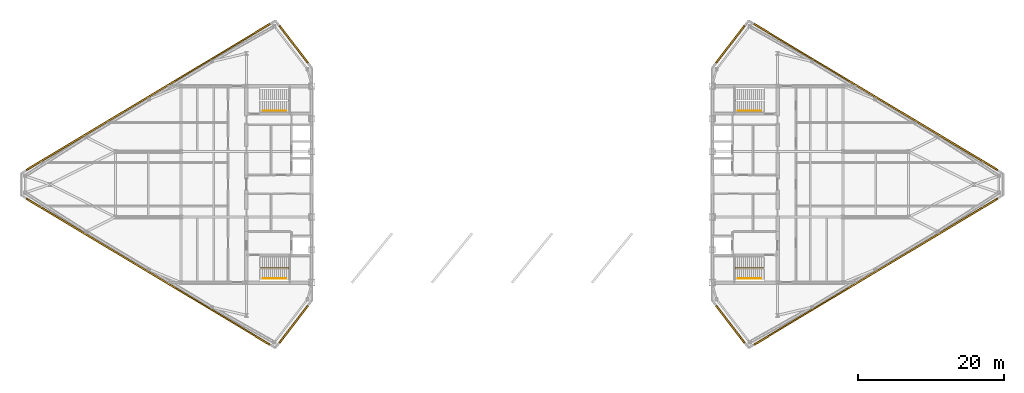
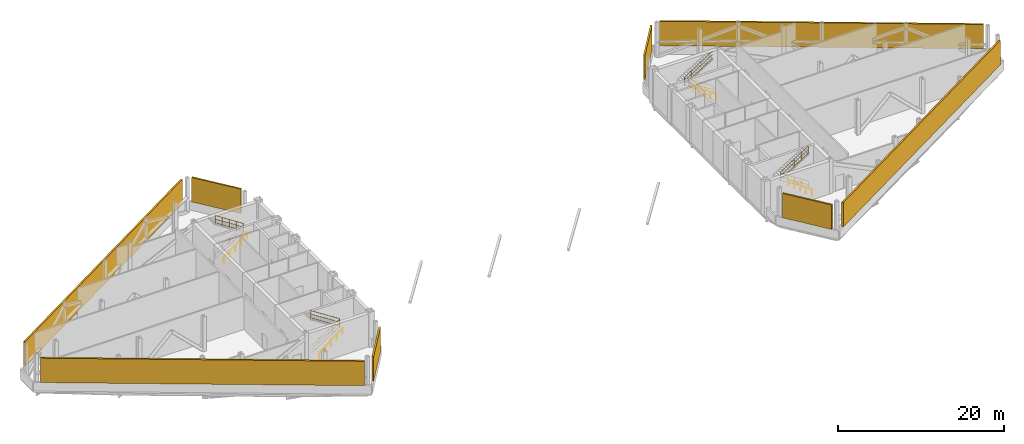
# One storey, part 13 of 13: 8 railings, 8 shading devices.
"""IFC4 building model written with IfcOpenShell, lengths in metres."""

import ifcopenshell
import ifcopenshell.guid

model = None  # the IFC model being written
_history = None  # IfcOwnerHistory: only IFC2X3 demands one
_inside = {}  # id of a spatial element -> (the spatial element, [elements in it])
_under = {}  # id of a project, library or spatial element -> (it, [spatial elements below it])
_declared = {}  # id of a project -> (the project, [libraries it declares])
_typed = {}  # id of a type object -> (the type object, [elements of that type])
_made_of = {}  # id of a material, layer set ... -> (it, [elements and type objects made of it])


def new_model(schema):
    """Start an empty IFC model of exactly this schema.

    Asked for "IFC4X3", IfcOpenShell would pick the latest addendum, in which some entities
    have other attributes; the version numbers below select the first issue.
    IFC2X3 requires an IfcOwnerHistory on every rooted entity: one is made here for all.
    """
    global model, _history
    if schema == "IFC4X3":
        model = ifcopenshell.file(schema_version=(4, 3, 0, 0))
    else:
        model = ifcopenshell.file(schema=schema)
    _inside.clear()
    _under.clear()
    _declared.clear()
    _typed.clear()
    _made_of.clear()
    _history = None
    if model.schema == "IFC2X3":
        org = make("IfcOrganization", Name="unknown")
        user = make(
            "IfcPersonAndOrganization",
            ThePerson=make("IfcPerson", FamilyName="unknown"),
            TheOrganization=org,
        )
        app = make(
            "IfcApplication",
            ApplicationDeveloper=org,
            Version="unknown",
            ApplicationFullName="unknown",
            ApplicationIdentifier="unknown",
        )
        _history = make(
            "IfcOwnerHistory",
            OwningUser=user,
            OwningApplication=app,
            ChangeAction="ADDED",
            CreationDate=0,
        )
    return model


def make(cls, **values):
    """One entity of the class cls with the attributes given. An attribute that is None is left unset."""
    return model.create_entity(
        cls, **{name: value for name, value in values.items() if value is not None}
    )


def rooted(cls, **values):
    """An entity with a GlobalId (a new one), such as an element, a storey or a relation."""
    return make(cls, GlobalId=ifcopenshell.guid.new(), OwnerHistory=_history, **values)


def si_unit(unit_type, name, prefix=None):
    """IfcSIUnit, for example si_unit("LENGTHUNIT", "METRE", prefix="MILLI")."""
    return make("IfcSIUnit", UnitType=unit_type, Prefix=prefix, Name=name)


def assignment(units):
    """IfcUnitAssignment: the units of a project."""
    return None if units is None else make("IfcUnitAssignment", Units=units)


def point(xyz):
    """IfcCartesianPoint."""
    return None if xyz is None else make("IfcCartesianPoint", Coordinates=xyz)


def direction(xyz):
    """IfcDirection."""
    return None if xyz is None else make("IfcDirection", DirectionRatios=xyz)


def frame(location, z_axis=None, x_axis=None):
    """IfcAxis2Placement3D, a coordinate frame: its origin and axes. An axis left out is left unset."""
    return make(
        "IfcAxis2Placement3D",
        Location=point(location),
        Axis=direction(z_axis),
        RefDirection=direction(x_axis),
    )


def frame_2d(location, x_axis=None):
    """IfcAxis2Placement2D, a coordinate frame in the plane: its origin and x axis."""
    return make(
        "IfcAxis2Placement2D", Location=point(location), RefDirection=direction(x_axis)
    )


def origin():
    """The frame at (0, 0, 0) with its axes left unset."""
    return frame((0.0, 0.0, 0.0))


def origin_2d():
    """The frame at (0, 0) in the plane with its x axis left unset."""
    return frame_2d((0.0, 0.0))


def place(relative_to, where):
    """IfcLocalPlacement: puts the frame where relative to a parent placement (None: the world)."""
    return make(
        "IfcLocalPlacement", PlacementRelTo=relative_to, RelativePlacement=where
    )


def context(
    kind, dimensions, precision=None, world=None, true_north=None, identifier=None
):
    """IfcGeometricRepresentationContext, for example the 3D "Model" context."""
    return make(
        "IfcGeometricRepresentationContext",
        ContextIdentifier=identifier,
        ContextType=kind,
        CoordinateSpaceDimension=dimensions,
        Precision=precision,
        WorldCoordinateSystem=world,
        TrueNorth=true_north,
    )


def subcontext(parent, identifier, kind, view, scale=None):
    """IfcGeometricRepresentationSubContext, for example "Body" below "Model"."""
    return make(
        "IfcGeometricRepresentationSubContext",
        ContextIdentifier=identifier,
        ContextType=kind,
        ParentContext=parent,
        TargetScale=scale,
        TargetView=view,
    )


def project(units=None, contexts=None):
    """IfcProject with its units and contexts."""
    return rooted(
        "IfcProject",
        Name="project",
        RepresentationContexts=contexts,
        UnitsInContext=assignment(units),
    )


def spatial(cls, under=None, at=None, **own):
    """A site, building, storey or space (cls), placed at a placement, below another one or the project."""
    s = rooted(cls, ObjectPlacement=at, **own)
    if under is not None:
        _under.setdefault(under.id(), (under, []))[1].append(s)
    return s


def profile(cls, at=None, kind="AREA", **sizes):
    """A parametric profile (cls). Its sizes go by their IFC names, for example OverallWidth=200.0."""
    return make(cls, ProfileType=kind, Position=at, **sizes)


def rectangle(**sizes):
    """IfcRectangleProfileDef."""
    return profile("IfcRectangleProfileDef", **sizes)


def circle(**sizes):
    """IfcCircleProfileDef."""
    return profile("IfcCircleProfileDef", **sizes)


def extrude(swept, where, along, depth):
    """IfcExtrudedAreaSolid: the profile swept, set in the frame where, extruded along a direction by depth."""
    return make(
        "IfcExtrudedAreaSolid",
        SweptArea=swept,
        Position=where,
        ExtrudedDirection=direction(along),
        Depth=depth,
    )


def shape(context_of_items, identifier, shape_type, items):
    """IfcShapeRepresentation: the items that make up one representation, for example the "Body"."""
    return make(
        "IfcShapeRepresentation",
        ContextOfItems=context_of_items,
        RepresentationIdentifier=identifier,
        RepresentationType=shape_type,
        Items=items,
    )


def source(mapping_origin, context_of_items, identifier, shape_type, items):
    """IfcRepresentationMap: a shape defined once, which mapped items show again and again."""
    return make(
        "IfcRepresentationMap",
        MappingOrigin=mapping_origin,
        MappedRepresentation=shape(context_of_items, identifier, shape_type, items),
    )


def transform(
    local_origin,
    x_axis=None,
    y_axis=None,
    z_axis=None,
    scale=None,
    scale2=None,
    scale3=None,
    uniform=True,
):
    """IfcCartesianTransformationOperator3D, or its non-uniform kind. x_axis, y_axis, z_axis: its Axis1, 2, 3."""
    if uniform:
        return make(
            "IfcCartesianTransformationOperator3D",
            Axis1=direction(x_axis),
            Axis2=direction(y_axis),
            LocalOrigin=point(local_origin),
            Scale=scale,
            Axis3=direction(z_axis),
        )
    return make(
        "IfcCartesianTransformationOperator3DnonUniform",
        Axis1=direction(x_axis),
        Axis2=direction(y_axis),
        LocalOrigin=point(local_origin),
        Scale=scale,
        Axis3=direction(z_axis),
        Scale2=scale2,
        Scale3=scale3,
    )


def mapped(mapping_source, mapping_target):
    """IfcMappedItem: shows the shape of a source again, moved by a transform."""
    return make(
        "IfcMappedItem", MappingSource=mapping_source, MappingTarget=mapping_target
    )


def material(Name=None, Category=None):
    """IfcMaterial."""
    return make("IfcMaterial", Name=Name, Category=Category)


def layer(
    of_material, thickness, ventilated=None, Name=None, Category=None, Priority=None
):
    """IfcMaterialLayer: one layer of a wall or slab, of a material (None: an air gap)."""
    return make(
        "IfcMaterialLayer",
        Material=of_material,
        LayerThickness=thickness,
        IsVentilated=ventilated,
        Name=Name,
        Category=Category,
        Priority=Priority,
    )


def layer_set(layers, Name=None):
    """IfcMaterialLayerSet."""
    return make("IfcMaterialLayerSet", MaterialLayers=layers, LayerSetName=Name)


def made_of(thing, what):
    """Note that an element or type object is made of a material, layer set ...; save() writes the relation."""
    if what is not None:
        _made_of.setdefault(what.id(), (what, []))[1].append(thing)
    return thing


def type_object(cls, material=None, **own):
    """A type object (cls), such as IfcWallType, which elements share."""
    return made_of(rooted(cls, **own), material)


def type_shapes(of_type, sources):
    """Give a type object the sources (RepresentationMaps) that its elements show as mapped items."""
    of_type.RepresentationMaps = sources


def element(
    cls,
    number,
    at=None,
    inside=None,
    cuts=None,
    type_object=None,
    material=None,
    context=None,
    identifier="Body",
    shape_type=None,
    held_by="IfcProductDefinitionShape",
    body=None,
    shapes=None,
    **own,
):
    """One element of the class cls, such as IfcWall. Its Tag is "e" and its number.

    at: its placement. inside: the storey or other place that contains it. cuts: it is an
    opening in that element (IfcRelVoidsElement). A single representation is given by context,
    identifier, shape_type and body (its items); several are given by shapes. held_by: the class
    of the entity that holds the representations. save() writes the other relations.
    """
    e = rooted(cls, Tag="e%d" % number, ObjectPlacement=at, **own)
    if body is not None:
        shapes = [shape(context, identifier, shape_type, body)]
    if shapes is not None:
        e.Representation = make(held_by, Representations=shapes)
    if inside is not None:
        _inside.setdefault(inside.id(), (inside, []))[1].append(e)
    if cuts is not None:
        rooted(
            "IfcRelVoidsElement", RelatingBuildingElement=cuts, RelatedOpeningElement=e
        )
    if type_object is not None:
        _typed.setdefault(type_object.id(), (type_object, []))[1].append(e)
    return made_of(e, material)


def aggregate(whole, parts):
    """IfcRelAggregates: a whole, such as a stair, and the parts it consists of."""
    return rooted("IfcRelAggregates", RelatingObject=whole, RelatedObjects=parts)


def save(model, path):
    """Write the relations noted so far, then the file.

    IfcRelAggregates (storeys below a building ...), IfcRelContainedInSpatialStructure (elements
    in a storey), IfcRelDefinesByType, IfcRelAssociatesMaterial and IfcRelDeclares: one each for
    every whole, place, type object, material and project.
    """
    for whole, parts in _under.values():
        aggregate(whole, parts)
    for where, things in _inside.values():
        rooted(
            "IfcRelContainedInSpatialStructure",
            RelatedElements=things,
            RelatingStructure=where,
        )
    for kind, things in _typed.values():
        rooted("IfcRelDefinesByType", RelatedObjects=things, RelatingType=kind)
    for what, things in _made_of.values():
        rooted("IfcRelAssociatesMaterial", RelatedObjects=things, RelatingMaterial=what)
    for by, libraries in _declared.values():
        rooted("IfcRelDeclares", RelatingContext=by, RelatedDefinitions=libraries)
    model.write(path)


model = new_model("IFC4")

# Units and contexts
model_context = context("Model", 3, precision=1e-05, world=origin(), true_north=direction((0.0, 1.0)))
body_context = subcontext(model_context, "Body", "Model", "MODEL_VIEW")
ifc_project = project(units=[si_unit("LENGTHUNIT", "METRE"), si_unit("AREAUNIT", "SQUARE_METRE"), si_unit("VOLUMEUNIT", "CUBIC_METRE"), si_unit("PLANEANGLEUNIT", "RADIAN"), si_unit("MASSUNIT", "GRAM", prefix="KILO")], contexts=[model_context])

# Site, building, storey
site_placement = place(None, origin())
site = spatial("IfcSite", under=ifc_project, at=site_placement, CompositionType="ELEMENT")
building_placement = place(site_placement, origin())
building = spatial("IfcBuilding", under=site, at=building_placement, Name="Seokmaru Belvedere", CompositionType="ELEMENT")
storey_placement = place(building_placement, frame((0.0, 0.0, 224.699951171875)))
storey = spatial("IfcBuildingStorey", under=building, at=storey_placement, Name="L60", CompositionType="ELEMENT", Elevation=224.699951171875)

# Railings
ifc_material_1 = material(Name="Stainless Steel 316", Category="steel")
railing_type_1 = type_object("IfcRailingType", Name="Stainless Steel Wall and Flight Handrail 900", PredefinedType="HANDRAIL", material=ifc_material_1)
for number, where, name in (
    (1, (-34.25, -12.949951171875, 0.0), "L60 Stair ST-W1 Wall Handrail"),
    (2, (-34.25, 10.110107421875, 0.0), "L60 Stair ST-W2 Wall Handrail"),
):
    element("IfcRailing", number, at=place(storey_placement, frame(where)), inside=storey, type_object=railing_type_1, Name=name, PredefinedType="HANDRAIL", context=body_context, shape_type="SweptSolid", body=[
        extrude(circle(Radius=0.02392578125, at=origin_2d()), frame((0.0, 0.0, 0.8759765625), z_axis=(0.78393854377, 0.0, 0.62083843276), x_axis=(0.0, 1.0, 0.0)), (0.0, 0.0, 1.0), 4.107421875),
        extrude(circle(Radius=0.02099609375, at=origin_2d()), origin(), (0.0, 0.0, 1.0), 0.851806640625),
        extrude(circle(Radius=0.02099609375, at=origin_2d()), frame((0.804931640625, 0.0, 0.637451171875)), (0.0, 0.0, 1.0), 0.851806640625),
        extrude(circle(Radius=0.02099609375, at=origin_2d()), frame((1.60986328125, 0.0, 1.27490234375)), (0.0, 0.0, 1.0), 0.851806640625),
        extrude(circle(Radius=0.02099609375, at=origin_2d()), frame((2.4150390625, 0.0, 1.91259765625)), (0.0, 0.0, 1.0), 0.851806640625),
        extrude(circle(Radius=0.02099609375, at=origin_2d()), frame((3.219970703125, 0.0, 2.550048828125)), (0.0, 0.0, 1.0), 0.851806640625),
    ])
for number, where, name in (
    (3, (34.25, -12.949951171875, 0.0), "L60 Stair ST-E1 Wall Handrail"),
    (4, (34.25, 10.110107421875, 0.0), "L60 Stair ST-E2 Wall Handrail"),
):
    element("IfcRailing", number, at=place(storey_placement, frame(where)), inside=storey, type_object=railing_type_1, Name=name, PredefinedType="HANDRAIL", context=body_context, shape_type="SweptSolid", body=[
        extrude(circle(Radius=0.02392578125, at=origin_2d()), frame((0.0, 0.0, 0.8759765625), z_axis=(-0.78393854377, 0.0, 0.62083843276), x_axis=(0.0, -1.0, 0.0)), (0.0, 0.0, 1.0), 4.107421875),
        extrude(circle(Radius=0.02099609375, at=origin_2d()), origin(), (0.0, 0.0, 1.0), 0.851806640625),
        extrude(circle(Radius=0.02099609375, at=origin_2d()), frame((-0.804931640625, 0.0, 0.637451171875)), (0.0, 0.0, 1.0), 0.851806640625),
        extrude(circle(Radius=0.02099609375, at=origin_2d()), frame((-1.60986328125, 0.0, 1.27490234375)), (0.0, 0.0, 1.0), 0.851806640625),
        extrude(circle(Radius=0.02099609375, at=origin_2d()), frame((-2.4150390625, 0.0, 1.91259765625)), (0.0, 0.0, 1.0), 0.851806640625),
        extrude(circle(Radius=0.02099609375, at=origin_2d()), frame((-3.219970703125, 0.0, 2.550048828125)), (0.0, 0.0, 1.0), 0.851806640625),
    ])
railing_type_2 = type_object("IfcRailingType", Name="Stair Well and Atrium Steel Guardrail 1200", PredefinedType="GUARDRAIL", material=ifc_material_1)
railing_1_placement = place(storey_placement, frame((-34.60009765625, -11.60009765625, 0.0)))
element("IfcRailing", 5, at=railing_1_placement, inside=storey, type_object=railing_type_2, Name="L60 Stair ST-W1 Inner Well Guardrail", PredefinedType="GUARDRAIL", context=body_context, shape_type="SweptSolid", body=[
    extrude(circle(Radius=0.02392578125, at=origin_2d()), frame((0.0, 0.0, 1.17578125), z_axis=(0.838253921411, 0.0, 0.545280077794), x_axis=(0.0, 1.0, 0.0)), (0.0, 0.0, 1.0), 4.676513671875),
    extrude(circle(Radius=0.02392578125, at=origin_2d()), frame((0.0, 0.0, 0.1201171875), z_axis=(0.838253921411, 0.0, 0.545280077794), x_axis=(0.0, 1.0, 0.0)), (0.0, 0.0, 1.0), 4.676513671875),
    extrude(circle(Radius=0.02392578125, at=origin_2d()), frame((0.0, 0.0, 0.659912109375), z_axis=(0.838253921411, 0.0, 0.545280077794), x_axis=(0.0, 1.0, 0.0)), (0.0, 0.0, 1.0), 4.676513671875),
    extrude(circle(Radius=0.02392578125, at=origin_2d()), frame((3.920166015625, 0.0, 3.72607421875), z_axis=(0.0, 1.0, 0.0), x_axis=(-1.0, 0.0, 0.0)), (0.0, 0.0, 1.0), 0.14013671875),
    extrude(circle(Radius=0.02392578125, at=origin_2d()), frame((3.920166015625, 0.0, 2.670166015625), z_axis=(0.0, 1.0, 0.0), x_axis=(-1.0, 0.0, 0.0)), (0.0, 0.0, 1.0), 0.14013671875),
    extrude(circle(Radius=0.02392578125, at=origin_2d()), frame((3.920166015625, 0.0, 3.2099609375), z_axis=(0.0, 1.0, 0.0), x_axis=(-1.0, 0.0, 0.0)), (0.0, 0.0, 1.0), 0.14013671875),
    extrude(circle(Radius=0.02392578125, at=origin_2d()), frame((3.920166015625, 0.14013671875, 3.72607421875), z_axis=(-0.838253921411, 0.0, 0.545280077794), x_axis=(0.0, -1.0, 0.0)), (0.0, 0.0, 1.0), 4.676513671875),
    extrude(circle(Radius=0.02392578125, at=origin_2d()), frame((3.920166015625, 0.14013671875, 2.670166015625), z_axis=(-0.838253921411, 0.0, 0.545280077794), x_axis=(0.0, -1.0, 0.0)), (0.0, 0.0, 1.0), 4.676513671875),
    extrude(circle(Radius=0.02392578125, at=origin_2d()), frame((3.920166015625, 0.14013671875, 3.2099609375), z_axis=(-0.838253921411, 0.0, 0.545280077794), x_axis=(0.0, -1.0, 0.0)), (0.0, 0.0, 1.0), 4.676513671875),
    extrude(circle(Radius=0.02099609375, at=origin_2d()), origin(), (0.0, 0.0, 1.0), 1.15185546875),
    extrude(circle(Radius=0.02099609375, at=origin_2d()), frame((0.97998046875, 0.0, 0.637451171875)), (0.0, 0.0, 1.0), 1.15185546875),
    extrude(circle(Radius=0.02099609375, at=origin_2d()), frame((1.9599609375, 0.0, 1.27490234375)), (0.0, 0.0, 1.0), 1.15185546875),
    extrude(circle(Radius=0.02099609375, at=origin_2d()), frame((2.940185546875, 0.0, 1.91259765625)), (0.0, 0.0, 1.0), 1.15185546875),
    extrude(circle(Radius=0.02099609375, at=origin_2d()), frame((3.920166015625, 0.0, 2.550048828125)), (0.0, 0.0, 1.0), 1.15185546875),
    extrude(circle(Radius=0.02099609375, at=origin_2d()), frame((3.920166015625, 0.14013671875, 2.550048828125)), (0.0, 0.0, 1.0), 1.15185546875),
    extrude(circle(Radius=0.02099609375, at=origin_2d()), frame((2.940185546875, 0.14013671875, 3.1875)), (0.0, 0.0, 1.0), 1.15185546875),
    extrude(circle(Radius=0.02099609375, at=origin_2d()), frame((1.9599609375, 0.14013671875, 3.8251953125)), (0.0, 0.0, 1.0), 1.15185546875),
    extrude(circle(Radius=0.02099609375, at=origin_2d()), frame((0.97998046875, 0.14013671875, 4.462646484375)), (0.0, 0.0, 1.0), 1.15185546875),
    extrude(circle(Radius=0.02099609375, at=origin_2d()), frame((0.0, 0.14013671875, 5.10009765625)), (0.0, 0.0, 1.0), 1.15185546875),
])
railing_2_placement = place(storey_placement, frame((-34.60009765625, 11.4599609375, 0.0)))
element("IfcRailing", 6, at=railing_2_placement, inside=storey, type_object=railing_type_2, Name="L60 Stair ST-W2 Inner Well Guardrail", PredefinedType="GUARDRAIL", context=body_context, shape_type="SweptSolid", body=[
    extrude(circle(Radius=0.02392578125, at=origin_2d()), frame((0.0, 0.0, 1.17578125), z_axis=(0.838253921411, 0.0, 0.545280077794), x_axis=(0.0, 1.0, 0.0)), (0.0, 0.0, 1.0), 4.676513671875),
    extrude(circle(Radius=0.02392578125, at=origin_2d()), frame((0.0, 0.0, 0.1201171875), z_axis=(0.838253921411, 0.0, 0.545280077794), x_axis=(0.0, 1.0, 0.0)), (0.0, 0.0, 1.0), 4.676513671875),
    extrude(circle(Radius=0.02392578125, at=origin_2d()), frame((0.0, 0.0, 0.659912109375), z_axis=(0.838253921411, 0.0, 0.545280077794), x_axis=(0.0, 1.0, 0.0)), (0.0, 0.0, 1.0), 4.676513671875),
    extrude(circle(Radius=0.02392578125, at=origin_2d()), frame((3.920166015625, 0.0, 3.72607421875), z_axis=(0.0, 1.0, 0.0), x_axis=(-1.0, 0.0, 0.0)), (0.0, 0.0, 1.0), 0.14013671875),
    extrude(circle(Radius=0.02392578125, at=origin_2d()), frame((3.920166015625, 0.0, 2.670166015625), z_axis=(0.0, 1.0, 0.0), x_axis=(-1.0, 0.0, 0.0)), (0.0, 0.0, 1.0), 0.14013671875),
    extrude(circle(Radius=0.02392578125, at=origin_2d()), frame((3.920166015625, 0.0, 3.2099609375), z_axis=(0.0, 1.0, 0.0), x_axis=(-1.0, 0.0, 0.0)), (0.0, 0.0, 1.0), 0.14013671875),
    extrude(circle(Radius=0.02392578125, at=origin_2d()), frame((3.920166015625, 0.14013671875, 3.72607421875), z_axis=(-0.838253921411, 0.0, 0.545280077794), x_axis=(0.0, -1.0, 0.0)), (0.0, 0.0, 1.0), 4.676513671875),
    extrude(circle(Radius=0.02392578125, at=origin_2d()), frame((3.920166015625, 0.14013671875, 2.670166015625), z_axis=(-0.838253921411, 0.0, 0.545280077794), x_axis=(0.0, -1.0, 0.0)), (0.0, 0.0, 1.0), 4.676513671875),
    extrude(circle(Radius=0.02392578125, at=origin_2d()), frame((3.920166015625, 0.14013671875, 3.2099609375), z_axis=(-0.838253921411, 0.0, 0.545280077794), x_axis=(0.0, -1.0, 0.0)), (0.0, 0.0, 1.0), 4.676513671875),
    extrude(circle(Radius=0.02099609375, at=origin_2d()), origin(), (0.0, 0.0, 1.0), 1.15185546875),
    extrude(circle(Radius=0.02099609375, at=origin_2d()), frame((0.97998046875, 0.0, 0.637451171875)), (0.0, 0.0, 1.0), 1.15185546875),
    extrude(circle(Radius=0.02099609375, at=origin_2d()), frame((1.9599609375, 0.0, 1.27490234375)), (0.0, 0.0, 1.0), 1.15185546875),
    extrude(circle(Radius=0.02099609375, at=origin_2d()), frame((2.940185546875, 0.0, 1.91259765625)), (0.0, 0.0, 1.0), 1.15185546875),
    extrude(circle(Radius=0.02099609375, at=origin_2d()), frame((3.920166015625, 0.0, 2.550048828125)), (0.0, 0.0, 1.0), 1.15185546875),
    extrude(circle(Radius=0.02099609375, at=origin_2d()), frame((3.920166015625, 0.14013671875, 2.550048828125)), (0.0, 0.0, 1.0), 1.15185546875),
    extrude(circle(Radius=0.02099609375, at=origin_2d()), frame((2.940185546875, 0.14013671875, 3.1875)), (0.0, 0.0, 1.0), 1.15185546875),
    extrude(circle(Radius=0.02099609375, at=origin_2d()), frame((1.9599609375, 0.14013671875, 3.8251953125)), (0.0, 0.0, 1.0), 1.15185546875),
    extrude(circle(Radius=0.02099609375, at=origin_2d()), frame((0.97998046875, 0.14013671875, 4.462646484375)), (0.0, 0.0, 1.0), 1.15185546875),
    extrude(circle(Radius=0.02099609375, at=origin_2d()), frame((0.0, 0.14013671875, 5.10009765625)), (0.0, 0.0, 1.0), 1.15185546875),
])
railing_3_placement = place(storey_placement, frame((34.60009765625, -11.60009765625, 0.0)))
element("IfcRailing", 7, at=railing_3_placement, inside=storey, type_object=railing_type_2, Name="L60 Stair ST-E1 Inner Well Guardrail", PredefinedType="GUARDRAIL", context=body_context, shape_type="SweptSolid", body=[
    extrude(circle(Radius=0.02392578125, at=origin_2d()), frame((0.0, 0.0, 1.17578125), z_axis=(-0.838253921411, 0.0, 0.545280077794), x_axis=(0.0, -1.0, 0.0)), (0.0, 0.0, 1.0), 4.676513671875),
    extrude(circle(Radius=0.02392578125, at=origin_2d()), frame((0.0, 0.0, 0.1201171875), z_axis=(-0.838253921411, 0.0, 0.545280077794), x_axis=(0.0, -1.0, 0.0)), (0.0, 0.0, 1.0), 4.676513671875),
    extrude(circle(Radius=0.02392578125, at=origin_2d()), frame((0.0, 0.0, 0.659912109375), z_axis=(-0.838253921411, 0.0, 0.545280077794), x_axis=(0.0, -1.0, 0.0)), (0.0, 0.0, 1.0), 4.676513671875),
    extrude(circle(Radius=0.02392578125, at=origin_2d()), frame((-3.920166015625, 0.0, 3.72607421875), z_axis=(0.0, 1.0, 0.0), x_axis=(-1.0, 0.0, 0.0)), (0.0, 0.0, 1.0), 0.14013671875),
    extrude(circle(Radius=0.02392578125, at=origin_2d()), frame((-3.920166015625, 0.0, 2.670166015625), z_axis=(0.0, 1.0, 0.0), x_axis=(-1.0, 0.0, 0.0)), (0.0, 0.0, 1.0), 0.14013671875),
    extrude(circle(Radius=0.02392578125, at=origin_2d()), frame((-3.920166015625, 0.0, 3.2099609375), z_axis=(0.0, 1.0, 0.0), x_axis=(-1.0, 0.0, 0.0)), (0.0, 0.0, 1.0), 0.14013671875),
    extrude(circle(Radius=0.02392578125, at=origin_2d()), frame((-3.920166015625, 0.14013671875, 3.72607421875), z_axis=(0.838253921411, 0.0, 0.545280077794), x_axis=(0.0, 1.0, 0.0)), (0.0, 0.0, 1.0), 4.676513671875),
    extrude(circle(Radius=0.02392578125, at=origin_2d()), frame((-3.920166015625, 0.14013671875, 2.670166015625), z_axis=(0.838253921411, 0.0, 0.545280077794), x_axis=(0.0, 1.0, 0.0)), (0.0, 0.0, 1.0), 4.676513671875),
    extrude(circle(Radius=0.02392578125, at=origin_2d()), frame((-3.920166015625, 0.14013671875, 3.2099609375), z_axis=(0.838253921411, 0.0, 0.545280077794), x_axis=(0.0, 1.0, 0.0)), (0.0, 0.0, 1.0), 4.676513671875),
    extrude(circle(Radius=0.02099609375, at=origin_2d()), origin(), (0.0, 0.0, 1.0), 1.15185546875),
    extrude(circle(Radius=0.02099609375, at=origin_2d()), frame((-0.97998046875, 0.0, 0.637451171875)), (0.0, 0.0, 1.0), 1.15185546875),
    extrude(circle(Radius=0.02099609375, at=origin_2d()), frame((-1.9599609375, 0.0, 1.27490234375)), (0.0, 0.0, 1.0), 1.15185546875),
    extrude(circle(Radius=0.02099609375, at=origin_2d()), frame((-2.940185546875, 0.0, 1.91259765625)), (0.0, 0.0, 1.0), 1.15185546875),
    extrude(circle(Radius=0.02099609375, at=origin_2d()), frame((-3.920166015625, 0.0, 2.550048828125)), (0.0, 0.0, 1.0), 1.15185546875),
    extrude(circle(Radius=0.02099609375, at=origin_2d()), frame((-3.920166015625, 0.14013671875, 2.550048828125)), (0.0, 0.0, 1.0), 1.15185546875),
    extrude(circle(Radius=0.02099609375, at=origin_2d()), frame((-2.940185546875, 0.14013671875, 3.1875)), (0.0, 0.0, 1.0), 1.15185546875),
    extrude(circle(Radius=0.02099609375, at=origin_2d()), frame((-1.9599609375, 0.14013671875, 3.8251953125)), (0.0, 0.0, 1.0), 1.15185546875),
    extrude(circle(Radius=0.02099609375, at=origin_2d()), frame((-0.97998046875, 0.14013671875, 4.462646484375)), (0.0, 0.0, 1.0), 1.15185546875),
    extrude(circle(Radius=0.02099609375, at=origin_2d()), frame((0.0, 0.14013671875, 5.10009765625)), (0.0, 0.0, 1.0), 1.15185546875),
])
railing_4_placement = place(storey_placement, frame((34.60009765625, 11.4599609375, 0.0)))
element("IfcRailing", 8, at=railing_4_placement, inside=storey, type_object=railing_type_2, Name="L60 Stair ST-E2 Inner Well Guardrail", PredefinedType="GUARDRAIL", context=body_context, shape_type="SweptSolid", body=[
    extrude(circle(Radius=0.02392578125, at=origin_2d()), frame((0.0, 0.0, 1.17578125), z_axis=(-0.838253921411, 0.0, 0.545280077794), x_axis=(0.0, -1.0, 0.0)), (0.0, 0.0, 1.0), 4.676513671875),
    extrude(circle(Radius=0.02392578125, at=origin_2d()), frame((0.0, 0.0, 0.1201171875), z_axis=(-0.838253921411, 0.0, 0.545280077794), x_axis=(0.0, -1.0, 0.0)), (0.0, 0.0, 1.0), 4.676513671875),
    extrude(circle(Radius=0.02392578125, at=origin_2d()), frame((0.0, 0.0, 0.659912109375), z_axis=(-0.838253921411, 0.0, 0.545280077794), x_axis=(0.0, -1.0, 0.0)), (0.0, 0.0, 1.0), 4.676513671875),
    extrude(circle(Radius=0.02392578125, at=origin_2d()), frame((-3.920166015625, 0.0, 3.72607421875), z_axis=(0.0, 1.0, 0.0), x_axis=(-1.0, 0.0, 0.0)), (0.0, 0.0, 1.0), 0.14013671875),
    extrude(circle(Radius=0.02392578125, at=origin_2d()), frame((-3.920166015625, 0.0, 2.670166015625), z_axis=(0.0, 1.0, 0.0), x_axis=(-1.0, 0.0, 0.0)), (0.0, 0.0, 1.0), 0.14013671875),
    extrude(circle(Radius=0.02392578125, at=origin_2d()), frame((-3.920166015625, 0.0, 3.2099609375), z_axis=(0.0, 1.0, 0.0), x_axis=(-1.0, 0.0, 0.0)), (0.0, 0.0, 1.0), 0.14013671875),
    extrude(circle(Radius=0.02392578125, at=origin_2d()), frame((-3.920166015625, 0.14013671875, 3.72607421875), z_axis=(0.838253921411, 0.0, 0.545280077794), x_axis=(0.0, 1.0, 0.0)), (0.0, 0.0, 1.0), 4.676513671875),
    extrude(circle(Radius=0.02392578125, at=origin_2d()), frame((-3.920166015625, 0.14013671875, 2.670166015625), z_axis=(0.838253921411, 0.0, 0.545280077794), x_axis=(0.0, 1.0, 0.0)), (0.0, 0.0, 1.0), 4.676513671875),
    extrude(circle(Radius=0.02392578125, at=origin_2d()), frame((-3.920166015625, 0.14013671875, 3.2099609375), z_axis=(0.838253921411, 0.0, 0.545280077794), x_axis=(0.0, 1.0, 0.0)), (0.0, 0.0, 1.0), 4.676513671875),
    extrude(circle(Radius=0.02099609375, at=origin_2d()), origin(), (0.0, 0.0, 1.0), 1.15185546875),
    extrude(circle(Radius=0.02099609375, at=origin_2d()), frame((-0.97998046875, 0.0, 0.637451171875)), (0.0, 0.0, 1.0), 1.15185546875),
    extrude(circle(Radius=0.02099609375, at=origin_2d()), frame((-1.9599609375, 0.0, 1.27490234375)), (0.0, 0.0, 1.0), 1.15185546875),
    extrude(circle(Radius=0.02099609375, at=origin_2d()), frame((-2.940185546875, 0.0, 1.91259765625)), (0.0, 0.0, 1.0), 1.15185546875),
    extrude(circle(Radius=0.02099609375, at=origin_2d()), frame((-3.920166015625, 0.0, 2.550048828125)), (0.0, 0.0, 1.0), 1.15185546875),
    extrude(circle(Radius=0.02099609375, at=origin_2d()), frame((-3.920166015625, 0.14013671875, 2.550048828125)), (0.0, 0.0, 1.0), 1.15185546875),
    extrude(circle(Radius=0.02099609375, at=origin_2d()), frame((-2.940185546875, 0.14013671875, 3.1875)), (0.0, 0.0, 1.0), 1.15185546875),
    extrude(circle(Radius=0.02099609375, at=origin_2d()), frame((-1.9599609375, 0.14013671875, 3.8251953125)), (0.0, 0.0, 1.0), 1.15185546875),
    extrude(circle(Radius=0.02099609375, at=origin_2d()), frame((-0.97998046875, 0.14013671875, 4.462646484375)), (0.0, 0.0, 1.0), 1.15185546875),
    extrude(circle(Radius=0.02099609375, at=origin_2d()), frame((0.0, 0.14013671875, 5.10009765625)), (0.0, 0.0, 1.0), 1.15185546875),
])

# Shading devices
ifc_material_2 = material(Name="Anodised Bronze Aluminium", Category="aluminium")
ifc_layer = layer(ifc_material_2, 0.25)
ifc_layer_set = layer_set([ifc_layer], Name="Anodised Bronze Aluminium")
shading_device_type = type_object("IfcShadingDeviceType", Name="Refuge Storey Acoustic Weather Louvre Assembly", PredefinedType="JALOUSIE", material=ifc_layer_set)
shared_shape_1 = source(origin(), body_context, "Body", "SweptSolid", [
    extrude(rectangle(XDim=6.400634765625, YDim=0.219970703125, at=origin_2d()), origin(), (0.0, 0.0, 1.0), 3.590087890625),
])
for number, where, z_axis, x_axis, name in (
    (9, (-30.0, 19.25, 1.25), (0.0, 0.0, 1.0), (-0.609710871122, 0.79262390428, 0.0), "L60 W Refuge Acoustic Louvre 2"),
    (10, (-30.0, -19.25, 1.25), (0.0, 0.0, 1.0), (0.609710871122, 0.79262390428, 0.0), "L60 W Refuge Acoustic Louvre 6"),
    (11, (30.0, 19.25, 1.25), (0.0, 0.0, 1.0), (-0.609710871122, -0.79262390428, 0.0), "L60 E Refuge Acoustic Louvre 4"),
    (12, (30.0, -19.25, 1.25), (0.0, 0.0, 1.0), (0.609710871122, -0.79262390428, 0.0), "L60 E Refuge Acoustic Louvre 6"),
):
    element("IfcShadingDevice", number, at=place(storey_placement, frame(where, z_axis=z_axis, x_axis=x_axis)), inside=storey, type_object=shading_device_type, Name=name, PredefinedType="JALOUSIE", context=body_context, shape_type="MappedRepresentation", body=[
        mapped(shared_shape_1, transform((0.0, 0.0, 0.0), scale=1.0)),
    ])
shared_shape_2 = source(origin(), body_context, "Body", "SweptSolid", [
    extrude(rectangle(XDim=39.0166015625, YDim=0.219970703125, at=origin_2d()), origin(), (0.0, 0.0, 1.0), 3.590087890625),
])
type_shapes(shading_device_type, [shared_shape_1, shared_shape_2])
for number, where, z_axis, x_axis, name in (
    (13, (-50.0, 12.0, 1.25), (0.0, 0.0, 1.0), (-0.857492535386, -0.514496405972, 0.0), "L60 W Refuge Acoustic Louvre 3"),
    (14, (-50.0, -12.0, 1.25), (0.0, 0.0, 1.0), (0.857492535386, -0.514496405972, 0.0), "L60 W Refuge Acoustic Louvre 5"),
    (15, (50.0, -12.0, 1.25), (0.0, 0.0, 1.0), (0.857492535386, 0.514496405972, 0.0), "L60 E Refuge Acoustic Louvre 1"),
    (16, (50.0, 12.0, 1.25), (0.0, 0.0, 1.0), (-0.857492535386, 0.514496405972, 0.0), "L60 E Refuge Acoustic Louvre 3"),
):
    element("IfcShadingDevice", number, at=place(storey_placement, frame(where, z_axis=z_axis, x_axis=x_axis)), inside=storey, type_object=shading_device_type, Name=name, PredefinedType="JALOUSIE", context=body_context, shape_type="MappedRepresentation", body=[
        mapped(shared_shape_2, transform((0.0, 0.0, 0.0), scale=1.0)),
    ])

save(model, "model.ifc")
